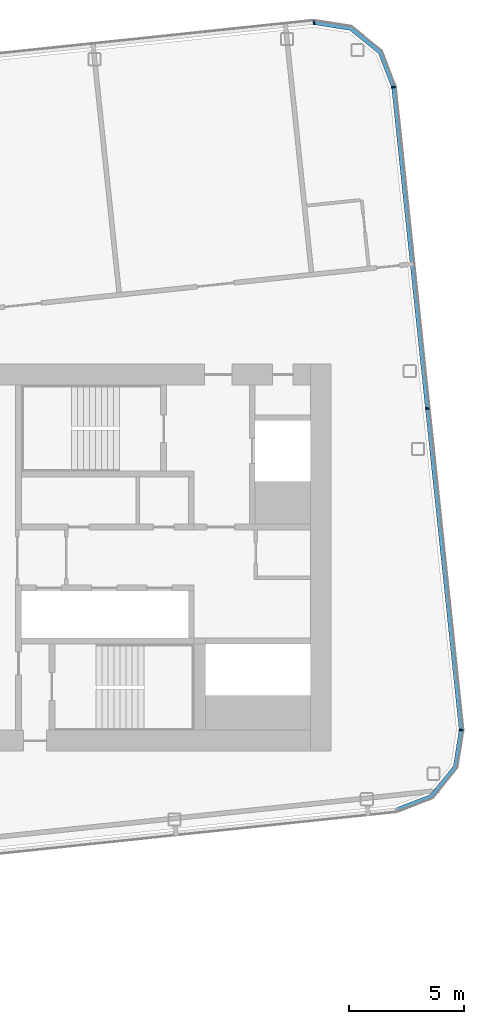
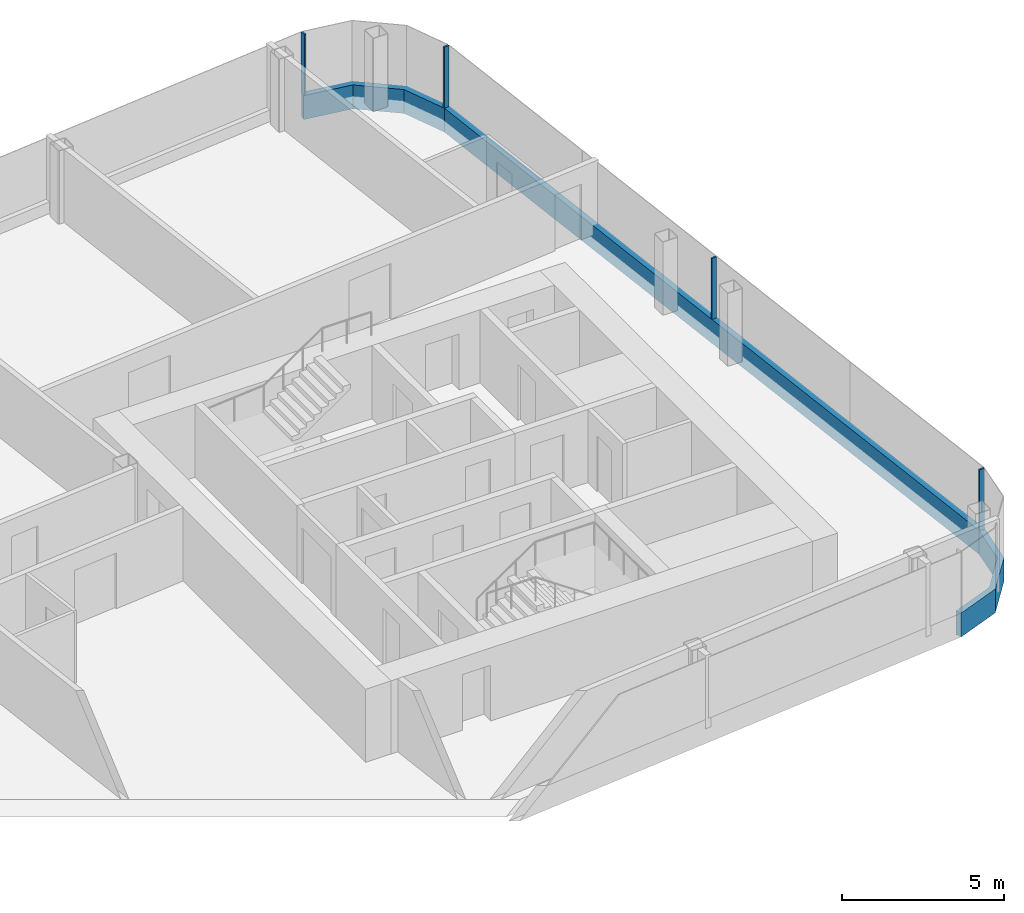
# One storey, part 12 of 27: 7 members, 4 elements without a shape of their own.
"""IFC4 building model written with IfcOpenShell, lengths in metres."""

from ifc_helpers import new_model, si_unit, direction, frame, origin, origin_2d, place, context, subcontext, project, spatial, polyline, rectangle, outline, extrude, material, layer, layer_set, material_profile, profile_set, type_object, element, aggregate, save


model = new_model("IFC4")

# Units and contexts
model_context = context("Model", 3, precision=1e-05, world=origin(), true_north=direction((0.0, 1.0)))
body_context = subcontext(model_context, "Body", "Model", "MODEL_VIEW")
ifc_project = project(units=[si_unit("LENGTHUNIT", "METRE"), si_unit("AREAUNIT", "SQUARE_METRE"), si_unit("VOLUMEUNIT", "CUBIC_METRE"), si_unit("PLANEANGLEUNIT", "RADIAN"), si_unit("MASSUNIT", "GRAM", prefix="KILO")], contexts=[model_context])

# Site, building, storey
site_placement = place(None, origin())
site = spatial("IfcSite", under=ifc_project, at=site_placement, CompositionType="ELEMENT")
building_placement = place(site_placement, origin())
building = spatial("IfcBuilding", under=site, at=building_placement, Name="Hakoniwa Tower and Hamabe Station Hall", CompositionType="ELEMENT")
storey_placement = place(building_placement, frame((0.0, 0.0, 242.199951171875)))
storey = spatial("IfcBuildingStorey", under=building, at=storey_placement, Name="L68", CompositionType="ELEMENT", Elevation=242.199951171875)

# Curtain wall, member
ifc_material_1 = material(Name="Dark low-e laminated glass", Category="glass")
ifc_layer = layer(ifc_material_1, 0.199951171875)
ifc_layer_set = layer_set([ifc_layer], Name="CW-1 UNITISED GUEST")
curtain_wall_type = type_object("IfcCurtainWallType", Name="CW-1 UNITISED GUEST", PredefinedType="NOTDEFINED", material=ifc_layer_set)
curtain_wall_1_placement = place(storey_placement, origin())
curtain_wall_1 = element("IfcCurtainWall", 1, at=curtain_wall_1_placement, inside=storey, type_object=curtain_wall_type, Name="CW-1 curtain wall", PredefinedType="NOTDEFINED")
ifc_material_2 = material(Name="Aluminium 6063-T5 black anodised", Category="aluminium")
ifc_material_profile_1 = material_profile(ifc_material_2, rectangle(XDim=0.199951171875, YDim=0.89990234375, at=origin_2d()), Name="CW SLAB-EDGE BAND 900X200")
ifc_profile_set_1 = profile_set([ifc_material_profile_1], Name="Aluminium 6063-T5 black anodised")
member_type_1 = type_object("IfcMemberType", Name="CW SLAB-EDGE BAND 900X200", PredefinedType="USERDEFINED", material=ifc_profile_set_1)
member_1_placement = place(storey_placement, frame((39.25927734375, -7.490478515625, -0.099853515625), z_axis=(-0.104529086463, 0.994521829868, 0.0), x_axis=(-0.994521829868, -0.104529086463, 0.0)))
member_1 = element("IfcMember", 2, at=member_1_placement, type_object=member_type_1, Name="CW-1 transom", ObjectType="TRANSOM", PredefinedType="USERDEFINED", context=body_context, shape_type="SweptSolid", body=[
    extrude(rectangle(XDim=0.199951171875, YDim=0.89990234375, at=origin_2d()), origin(), (0.0, 0.0, 1.0), 28.078857421875),
])

curtain_wall_2_placement = place(storey_placement, origin())
curtain_wall_2 = element("IfcCurtainWall", 3, at=curtain_wall_2_placement, inside=storey, type_object=curtain_wall_type, Name="CW-1 curtain wall", PredefinedType="NOTDEFINED")
member_2_placement = place(storey_placement, frame((0.0, 0.0, -0.550048828125)))
member_2 = element("IfcMember", 4, at=member_2_placement, type_object=member_type_1, Name="CW-1 transom", ObjectType="TRANSOM", PredefinedType="USERDEFINED", context=body_context, shape_type="SweptSolid", body=[
    extrude(outline(polyline([(36.423828125, 20.445068359375), (35.82421875, 22.0068359375), (34.492431640625, 23.085205078125), (32.84033203125, 23.346923828125), (32.80908203125, 23.1494140625), (34.408203125, 22.89599609375), (35.65673828125, 21.885009765625), (36.237060546875, 20.37353515625), (36.423828125, 20.445068359375)])), origin(), (0.0, 0.0, 1.0), 0.900146484375),
])
aggregate(curtain_wall_2, [member_2])

curtain_wall_3_placement = place(storey_placement, origin())
curtain_wall_3 = element("IfcCurtainWall", 5, at=curtain_wall_3_placement, inside=storey, type_object=curtain_wall_type, Name="CW-1 curtain wall", PredefinedType="NOTDEFINED")
member_3_placement = place(storey_placement, frame((0.0, 0.0, -0.550048828125)))
member_3 = element("IfcMember", 6, at=member_3_placement, type_object=member_type_1, Name="CW-1 transom", ObjectType="TRANSOM", PredefinedType="USERDEFINED", context=body_context, shape_type="SweptSolid", body=[
    extrude(outline(polyline([(36.45703125, -11.0634765625), (38.0185546875, -10.464111328125), (39.09716796875, -9.13232421875), (39.35888671875, -7.47998046875), (39.161376953125, -7.44873046875), (38.907958984375, -9.048095703125), (37.89697265625, -10.296630859375), (36.38525390625, -10.876708984375), (36.45703125, -11.0634765625)])), origin(), (0.0, 0.0, 1.0), 0.900146484375),
])
aggregate(curtain_wall_3, [member_3])

# Member
ifc_material_3 = material(Name="Aluminium 6063-T5 black anodised", Category="aluminium")
ifc_material_profile_2 = material_profile(ifc_material_3, rectangle(XDim=0.06005859375, YDim=0.179931640625, at=origin_2d()), Name="CW-1 MULLION 60X180")
ifc_profile_set_2 = profile_set([ifc_material_profile_2], Name="Aluminium 6063-T5 black anodised")
member_type_2 = type_object("IfcMemberType", Name="CW-1 MULLION 60X180", PredefinedType="MULLION", material=ifc_profile_set_2)
member_4_placement = place(storey_placement, frame((39.241455078125, -7.492431640625, 0.35009765625), z_axis=(0.0, 0.0, 1.0), x_axis=(-0.104528468631, 0.994521894805, 0.0)))
member_4 = element("IfcMember", 7, at=member_4_placement, type_object=member_type_2, Name="CW-1 mullion", PredefinedType="MULLION", context=body_context, shape_type="SweptSolid", body=[
    extrude(rectangle(XDim=0.06005859375, YDim=0.179931640625, at=origin_2d()), origin(), (0.0, 0.0, 1.0), 2.300048828125),
])

member_5_placement = place(storey_placement, frame((37.77392578125, 6.47021484375, 0.35009765625), z_axis=(0.0, 0.0, 1.0), x_axis=(-0.104528468631, 0.994521894805, 0.0)))
member_5 = element("IfcMember", 8, at=member_5_placement, type_object=member_type_2, Name="CW-1 mullion", PredefinedType="MULLION", context=body_context, shape_type="SweptSolid", body=[
    extrude(rectangle(XDim=0.06005859375, YDim=0.179931640625, at=origin_2d()), origin(), (0.0, 0.0, 1.0), 2.300048828125),
])

member_6_placement = place(storey_placement, frame((36.306396484375, 20.432861328125, 0.35009765625), z_axis=(0.0, 0.0, 1.0), x_axis=(-0.104528468631, 0.994521894805, 0.0)))
member_6 = element("IfcMember", 9, at=member_6_placement, type_object=member_type_2, Name="CW-1 mullion", PredefinedType="MULLION", context=body_context, shape_type="SweptSolid", body=[
    extrude(rectangle(XDim=0.06005859375, YDim=0.179931640625, at=origin_2d()), origin(), (0.0, 0.0, 1.0), 2.300048828125),
])

aggregate(curtain_wall_1, [member_4, member_5, member_6, member_1])

# Curtain wall, member
curtain_wall_4_placement = place(storey_placement, origin())
curtain_wall_4 = element("IfcCurtainWall", 10, at=curtain_wall_4_placement, inside=storey, type_object=curtain_wall_type, Name="CW-1 curtain wall", PredefinedType="NOTDEFINED")
member_7_placement = place(storey_placement, frame((32.8525390625, 23.2294921875, 0.35009765625), z_axis=(0.0, 0.0, 1.0), x_axis=(-0.994521895272, -0.104528464188, 0.0)))
member_7 = element("IfcMember", 11, at=member_7_placement, type_object=member_type_2, Name="CW-1 mullion", PredefinedType="MULLION", context=body_context, shape_type="SweptSolid", body=[
    extrude(rectangle(XDim=0.06005859375, YDim=0.179931640625, at=origin_2d()), origin(), (0.0, 0.0, 1.0), 2.300048828125),
])
aggregate(curtain_wall_4, [member_7])

save(model, "model.ifc")
